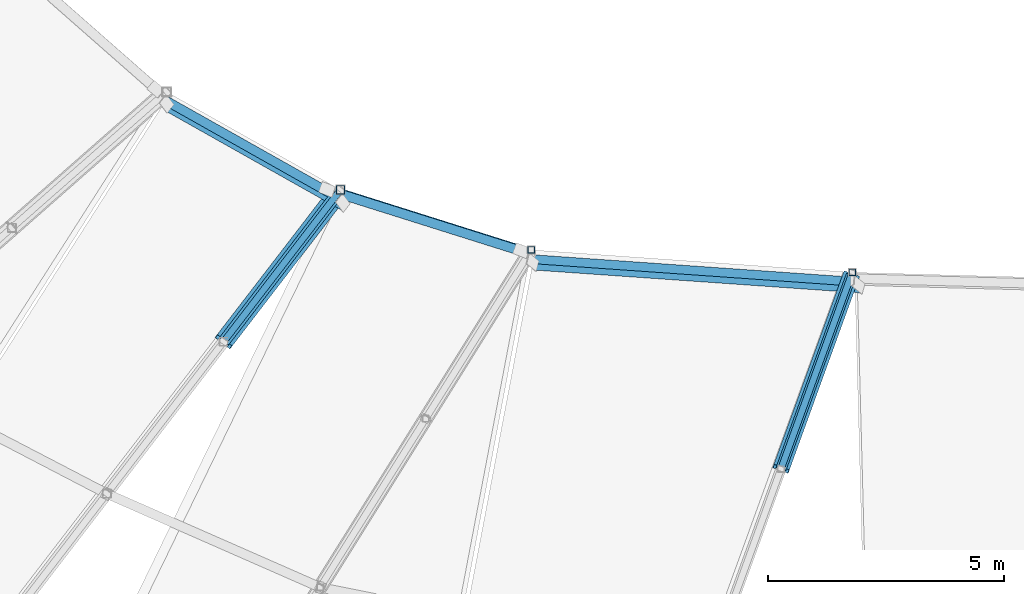
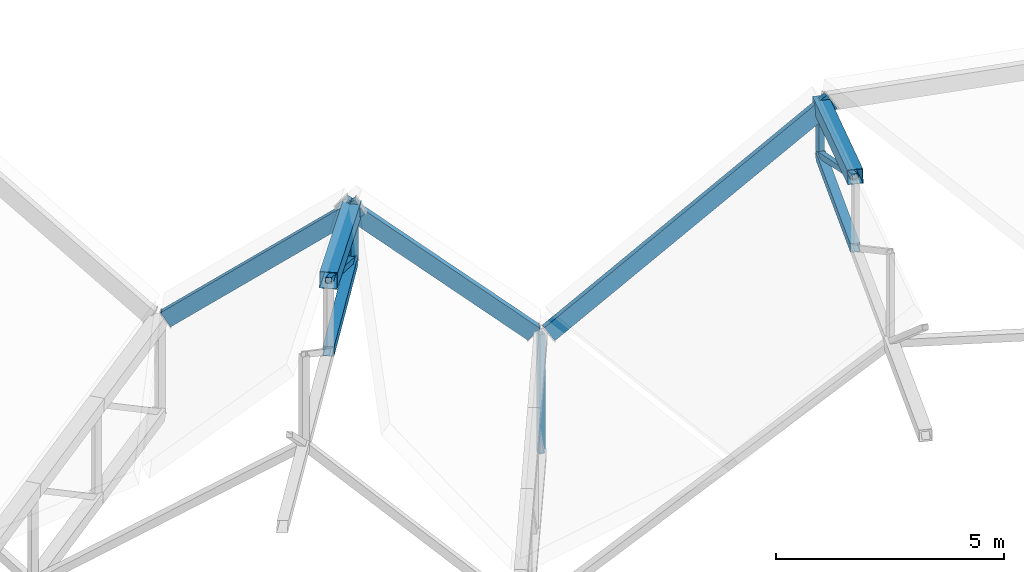
# One storey, part 43 of 344: 9 members, 3 beams.
"""IFC4 building model written with IfcOpenShell, lengths in metres."""

from ifc_helpers import new_model, si_unit, direction, frame, origin, origin_2d, place, context, subcontext, project, spatial, hollow_rectangle, extrude, material, material_profile, profile_set, type_object, element, save


model = new_model("IFC4")

# Units and contexts
model_context = context("Model", 3, precision=1e-05, world=origin(), true_north=direction((0.0, 1.0)))
body_context = subcontext(model_context, "Body", "Model", "MODEL_VIEW")
ifc_project = project(units=[si_unit("LENGTHUNIT", "METRE"), si_unit("AREAUNIT", "SQUARE_METRE"), si_unit("VOLUMEUNIT", "CUBIC_METRE"), si_unit("PLANEANGLEUNIT", "RADIAN"), si_unit("MASSUNIT", "GRAM", prefix="KILO")], contexts=[model_context])

# Site, building, storey
site_placement = place(None, origin())
site = spatial("IfcSite", under=ifc_project, at=site_placement, CompositionType="ELEMENT")
building_placement = place(site_placement, origin())
building = spatial("IfcBuilding", under=site, at=building_placement, Name="Meseta Stadium", CompositionType="ELEMENT")
storey_placement = place(building_placement, frame((0.0, 0.0, 24.0)))
storey = spatial("IfcBuildingStorey", under=building, at=storey_placement, Name="L04", CompositionType="ELEMENT", Elevation=24.0)

# Beams
ifc_material_1 = material(Name="Steel S355", Category="steel")
ifc_material_profile_1 = material_profile(ifc_material_1, hollow_rectangle(XDim=0.199951171875, YDim=0.39990234375, WallThickness=0.01611328125, at=origin_2d()), Name="RHS 400x200x16")
ifc_profile_set_1 = profile_set([ifc_material_profile_1], Name="Steel S355")
beam_type = type_object("IfcBeamType", Name="RHS 400x200x16 tip ring beam", PredefinedType="BEAM", material=ifc_profile_set_1)
beam_1_placement = place(storey_placement, frame((-38.40087890625, -62.007080078125, 3.570068359375), z_axis=(0.713166373351, -0.401733052023, 0.574459988889), x_axis=(0.598459583749, 0.775650425654, -0.200530655514)))
element("IfcBeam", 1, at=beam_1_placement, inside=storey, type_object=beam_type, Name="TIP RING BEAM 42", PredefinedType="BEAM", context=body_context, shape_type="SweptSolid", body=[
    extrude(hollow_rectangle(XDim=0.199951171875, YDim=0.39990234375, WallThickness=0.01611328125, at=origin_2d()), origin(), (0.0, 0.0, 1.0), 5.2099609375),
])
beam_2_placement = place(storey_placement, frame((-34.994873046875, -63.824951171875, 6.561279296875), z_axis=(0.69026698527, -0.217462243499, -0.69010264577), x_axis=(0.327082704849, 0.944534437695, 0.029522875838)))
element("IfcBeam", 2, at=beam_2_placement, inside=storey, type_object=beam_type, Name="TIP RING BEAM 43", PredefinedType="BEAM", context=body_context, shape_type="SweptSolid", body=[
    extrude(hollow_rectangle(XDim=0.199951171875, YDim=0.39990234375, WallThickness=0.01611328125, at=origin_2d()), origin(), (0.0, 0.0, 1.0), 5.9423828125),
])
beam_3_placement = place(storey_placement, frame((-30.6474609375, -65.365478515625, 2.491455078125), z_axis=(0.856531788007, -0.059994569959, 0.512595305977), x_axis=(0.237457746165, 0.927657332448, -0.288211193991)))
element("IfcBeam", 3, at=beam_3_placement, inside=storey, type_object=beam_type, Name="TIP RING BEAM 44", PredefinedType="BEAM", context=body_context, shape_type="SweptSolid", body=[
    extrude(hollow_rectangle(XDim=0.199951171875, YDim=0.39990234375, WallThickness=0.01611328125, at=origin_2d()), origin(), (0.0, 0.0, 1.0), 8.041015625),
])

# Members
ifc_material_2 = material(Name="Steel S355", Category="steel")
ifc_material_profile_2 = material_profile(ifc_material_2, hollow_rectangle(XDim=0.139892578125, YDim=0.139892578125, WallThickness=0.0048828125, at=origin_2d()), Name="SHS 140x140x5")
ifc_profile_set_2 = profile_set([ifc_material_profile_2], Name="Steel S355")
member_type_1 = type_object("IfcMemberType", Name="SHS 140x140x5 diagonal", PredefinedType="BRACE", material=ifc_profile_set_2)
member_1_placement = place(storey_placement, frame((-34.722412109375, -63.827392578125, 4.978515625), z_axis=(-0.533941033352, -0.694418280208, 0.482379751871), x_axis=(0.792749139849, -0.609548030321, 0.0)))
element("IfcMember", 4, at=member_1_placement, inside=storey, type_object=member_type_1, Name="ROOF TRUSS RT-42 diagonal", PredefinedType="BRACE", context=body_context, shape_type="SweptSolid", body=[
    extrude(hollow_rectangle(XDim=0.139892578125, YDim=0.139892578125, WallThickness=0.0048828125, at=origin_2d()), origin(), (0.0, 0.0, 1.0), 4.635498046875),
])
member_2_placement = place(storey_placement, frame((-23.879638671875, -65.576904296875, 5.052734375), z_axis=(-0.298780438207, -0.823191288138, 0.482790174795), x_axis=(0.939999305221, -0.341176356426, 0.0)))
element("IfcMember", 5, at=member_2_placement, inside=storey, type_object=member_type_1, Name="ROOF TRUSS RT-44 diagonal", PredefinedType="BRACE", context=body_context, shape_type="SweptSolid", body=[
    extrude(hollow_rectangle(XDim=0.139892578125, YDim=0.139892578125, WallThickness=0.0048828125, at=origin_2d()), origin(), (0.0, 0.0, 1.0), 5.056396484375),
])
ifc_material_3 = material(Name="Steel S355", Category="steel")
ifc_material_profile_3 = material_profile(ifc_material_3, hollow_rectangle(XDim=0.139892578125, YDim=0.139892578125, WallThickness=0.0048828125, at=origin_2d()), Name="SHS 140x140x5")
ifc_profile_set_3 = profile_set([ifc_material_profile_3], Name="Steel S355")
member_type_2 = type_object("IfcMemberType", Name="SHS 140x140x5 rim post", PredefinedType="POST", material=ifc_profile_set_3)
member_3_placement = place(storey_placement, frame((-30.68212890625, -65.100341796875, -0.85302734375), z_axis=(0.0, 0.0, 1.0), x_axis=(1.0, 0.0, 0.0)))
element("IfcMember", 6, at=member_3_placement, inside=storey, type_object=member_type_2, Name="ROOF TRUSS RT-43 post", PredefinedType="POST", context=body_context, shape_type="SweptSolid", body=[
    extrude(hollow_rectangle(XDim=0.139892578125, YDim=0.139892578125, WallThickness=0.0048828125, at=origin_2d()), origin(), (0.0, 0.0, 1.0), 3.199951171875),
])
member_4_placement = place(storey_placement, frame((-23.879638671875, -65.576904296875, 5.052734375), z_axis=(0.0, 0.0, 1.0), x_axis=(1.0, 0.0, 0.0)))
element("IfcMember", 7, at=member_4_placement, inside=storey, type_object=member_type_2, Name="ROOF TRUSS RT-44 post", PredefinedType="POST", context=body_context, shape_type="SweptSolid", body=[
    extrude(hollow_rectangle(XDim=0.139892578125, YDim=0.139892578125, WallThickness=0.0048828125, at=origin_2d()), origin(), (0.0, 0.0, 1.0), 1.400146484375),
])
ifc_material_4 = material(Name="Steel S355", Category="steel")
ifc_material_profile_4 = material_profile(ifc_material_4, hollow_rectangle(XDim=0.179931640625, YDim=0.179931640625, WallThickness=0.00634765625, at=origin_2d()), Name="SHS 180x180x6.3")
ifc_profile_set_4 = profile_set([ifc_material_profile_4], Name="Steel S355")
member_type_3 = type_object("IfcMemberType", Name="SHS 180x180x6.3 rim post", PredefinedType="POST", material=ifc_profile_set_4)
member_5_placement = place(storey_placement, frame((-34.722412109375, -63.827392578125, 4.978515625), z_axis=(0.0, 0.0, 1.0), x_axis=(1.0, 0.0, 0.0)))
element("IfcMember", 8, at=member_5_placement, inside=storey, type_object=member_type_3, Name="ROOF TRUSS RT-42 post", PredefinedType="POST", context=body_context, shape_type="SweptSolid", body=[
    extrude(hollow_rectangle(XDim=0.179931640625, YDim=0.179931640625, WallThickness=0.00634765625, at=origin_2d()), origin(), (0.0, 0.0, 1.0), 1.39990234375),
])
ifc_material_5 = material(Name="Steel S355", Category="steel")
ifc_material_profile_5 = material_profile(ifc_material_5, hollow_rectangle(XDim=0.219970703125, YDim=0.219970703125, WallThickness=0.008056640625, at=origin_2d()), Name="SHS 220x220x8")
ifc_profile_set_5 = profile_set([ifc_material_profile_5], Name="Steel S355")
member_type_4 = type_object("IfcMemberType", Name="SHS 220x220x8 bottom chord", PredefinedType="CHORD", material=ifc_profile_set_5)
member_6_placement = place(storey_placement, frame((-23.903564453125, -65.642333984375, 5.061279296875), z_axis=(-0.338665731197, -0.933193700364, 0.120229115082), x_axis=(0.940012389566, -0.341140304658, 0.0)))
element("IfcMember", 9, at=member_6_placement, inside=storey, type_object=member_type_4, Name="ROOF TRUSS RT-44 bottom chord", PredefinedType="CHORD", context=body_context, shape_type="SweptSolid", body=[
    extrude(hollow_rectangle(XDim=0.219970703125, YDim=0.219970703125, WallThickness=0.008056640625, at=origin_2d()), origin(), (0.0, 0.0, 1.0), 4.39013671875),
])
ifc_material_6 = material(Name="Steel S355", Category="steel")
ifc_material_profile_6 = material_profile(ifc_material_6, hollow_rectangle(XDim=0.25, YDim=0.25, WallThickness=0.010009765625, at=origin_2d()), Name="SHS 250x250x10")
ifc_profile_set_6 = profile_set([ifc_material_profile_6], Name="Steel S355")
member_type_5 = type_object("IfcMemberType", Name="SHS 250x250x10 bottom chord", PredefinedType="CHORD", material=ifc_profile_set_6)
member_7_placement = place(storey_placement, frame((-34.777099609375, -63.8984375, 4.98583984375), z_axis=(-0.607480243453, -0.790079711426, 0.082108485599), x_axis=(0.792756535065, -0.609538412334, 0.0)))
element("IfcMember", 10, at=member_7_placement, inside=storey, type_object=member_type_5, Name="ROOF TRUSS RT-42 bottom chord", PredefinedType="CHORD", context=body_context, shape_type="SweptSolid", body=[
    extrude(hollow_rectangle(XDim=0.25, YDim=0.25, WallThickness=0.010009765625, at=origin_2d()), origin(), (0.0, 0.0, 1.0), 3.984375),
])
ifc_material_7 = material(Name="Steel S355", Category="steel")
ifc_material_profile_7 = material_profile(ifc_material_7, hollow_rectangle(XDim=0.35009765625, YDim=0.35009765625, WallThickness=0.010009765625, at=origin_2d()), Name="SHS 350x350x10")
ifc_profile_set_7 = profile_set([ifc_material_profile_7], Name="Steel S355")
member_type_6 = type_object("IfcMemberType", Name="SHS 350x350x10 top chord", PredefinedType="CHORD", material=ifc_profile_set_7)
member_8_placement = place(storey_placement, frame((-23.903076171875, -65.64111328125, 6.46875), z_axis=(-0.332092001692, -0.915051927183, 0.228899263806), x_axis=(0.9400090593, -0.341149481071, 0.0)))
element("IfcMember", 11, at=member_8_placement, inside=storey, type_object=member_type_6, Name="ROOF TRUSS RT-44 top chord", PredefinedType="CHORD", context=body_context, shape_type="SweptSolid", body=[
    extrude(hollow_rectangle(XDim=0.35009765625, YDim=0.35009765625, WallThickness=0.010009765625, at=origin_2d()), origin(), (0.0, 0.0, 1.0), 4.478515625),
])
ifc_material_8 = material(Name="Steel S355", Category="steel")
ifc_material_profile_8 = material_profile(ifc_material_8, hollow_rectangle(XDim=0.39990234375, YDim=0.39990234375, WallThickness=0.010009765625, at=origin_2d()), Name="SHS 400x400x10")
ifc_profile_set_8 = profile_set([ifc_material_profile_8], Name="Steel S355")
member_type_7 = type_object("IfcMemberType", Name="SHS 400x400x10 top chord", PredefinedType="CHORD", material=ifc_profile_set_8)
member_9_placement = place(storey_placement, frame((-34.776123046875, -63.897216796875, 6.396728515625), z_axis=(-0.597022188653, -0.776465941866, 0.201656012501), x_axis=(0.792751914793, -0.609544421344, 0.0)))
element("IfcMember", 12, at=member_9_placement, inside=storey, type_object=member_type_7, Name="ROOF TRUSS RT-42 top chord", PredefinedType="CHORD", context=body_context, shape_type="SweptSolid", body=[
    extrude(hollow_rectangle(XDim=0.39990234375, YDim=0.39990234375, WallThickness=0.010009765625, at=origin_2d()), origin(), (0.0, 0.0, 1.0), 4.0556640625),
])

save(model, "model.ifc")
